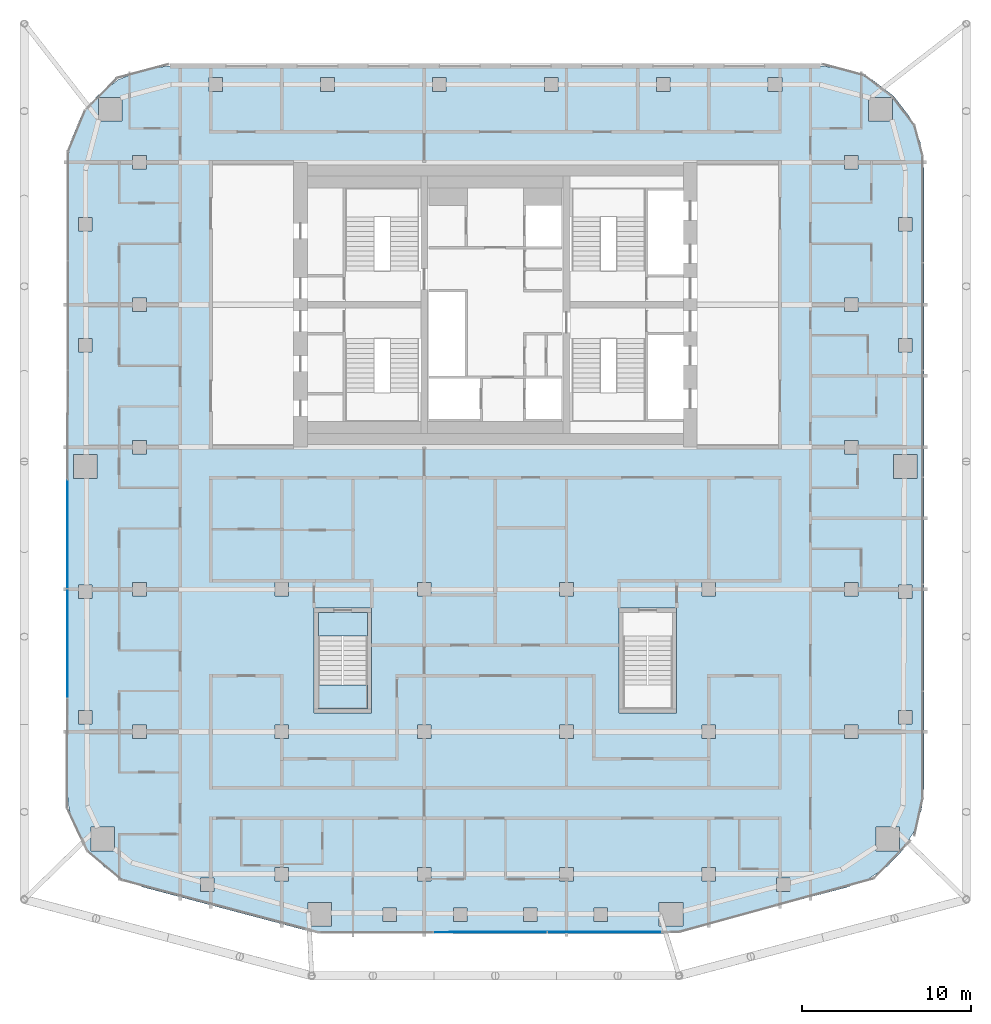
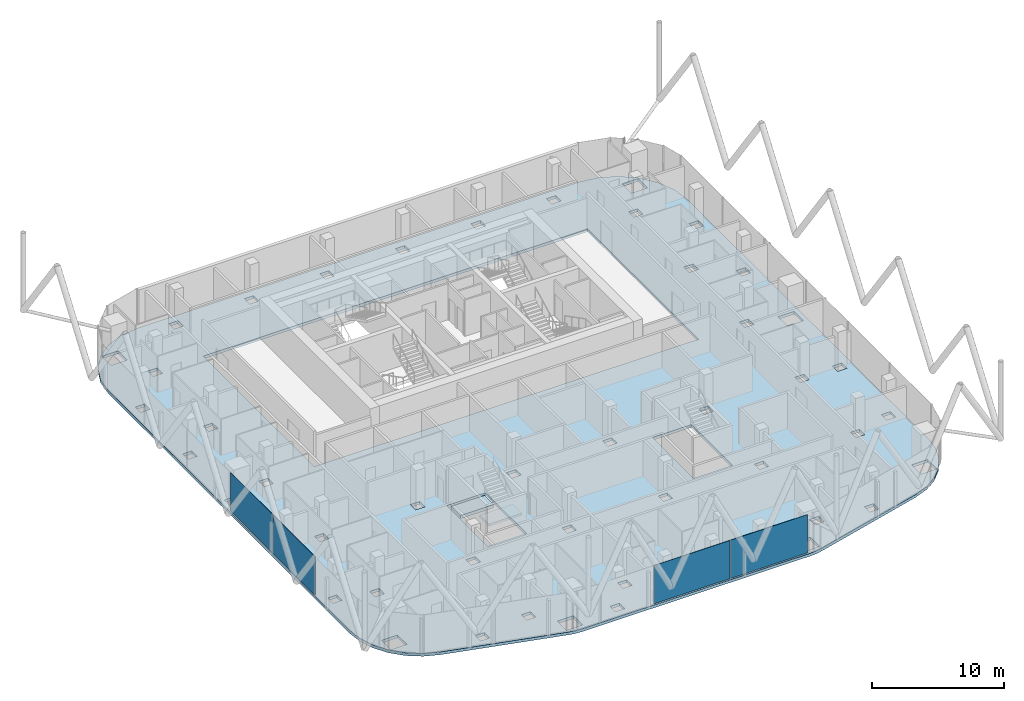
# One storey, part 15 of 28: 4 plates, 3 slabs, 3 elements without a shape of their own.
"""IFC4 building model written with IfcOpenShell, lengths in metres."""

from ifc_helpers import new_model, si_unit, direction, frame, origin, origin_2d, place, context, subcontext, project, spatial, polyline, rectangle, outline, extrude, material, layer, layer_set, type_object, element, aggregate, save


model = new_model("IFC4")

# Units and contexts
model_context = context("Model", 3, precision=1e-05, world=origin(), true_north=direction((0.0, 1.0)))
body_context = subcontext(model_context, "Body", "Model", "MODEL_VIEW")
ifc_project = project(units=[si_unit("LENGTHUNIT", "METRE"), si_unit("AREAUNIT", "SQUARE_METRE"), si_unit("VOLUMEUNIT", "CUBIC_METRE"), si_unit("PLANEANGLEUNIT", "RADIAN"), si_unit("MASSUNIT", "GRAM", prefix="KILO")], contexts=[model_context])

# Site, building, storey
site_placement = place(None, origin())
site = spatial("IfcSite", under=ifc_project, at=site_placement, CompositionType="ELEMENT")
building_placement = place(site_placement, origin())
building = spatial("IfcBuilding", under=site, at=building_placement, Name="Marenta Gate Hotel Tower", CompositionType="ELEMENT")
storey_placement = place(building_placement, frame((0.0, 0.0, 241.699951171875)))
storey = spatial("IfcBuildingStorey", under=building, at=storey_placement, Name="L57", CompositionType="ELEMENT", Elevation=241.699951171875)

# Slab
ifc_material_1 = material(Name="Concrete C35", Category="concrete")
ifc_layer_1 = layer(ifc_material_1, 0.260009765625)
ifc_layer_set_1 = layer_set([ifc_layer_1], Name="Concrete C35")
slab_type_1 = type_object("IfcSlabType", Name="Concrete floor slab 260", PredefinedType="FLOOR", material=ifc_layer_set_1)
slab_1_placement = place(storey_placement, frame((0.0, 0.0, -0.260009765625)))
element("IfcSlab", 1, at=slab_1_placement, inside=storey, type_object=slab_type_1, Name="L57-SL-1", PredefinedType="FLOOR", context=body_context, shape_type="SweptSolid", body=[
    extrude(outline(polyline([(-23.11376953125, -24.76416015625), (-24.035400390625, -23.803955078125), (-24.72705078125, -22.6669921875), (-25.155517578125, -21.4072265625), (-25.300048828125, -20.08984375), (-25.300048828125, 16.406494140625), (-25.093017578125, 17.97900390625), (-24.483642578125, 19.450439453125), (-23.513916015625, 20.7138671875), (-22.25048828125, 21.68359375), (-20.779052734375, 22.29296875), (-19.20654296875, 22.5), (19.20654296875, 22.5), (20.779052734375, 22.29296875), (22.25048828125, 21.68359375), (23.513916015625, 20.7138671875), (24.483642578125, 19.450439453125), (25.093017578125, 17.97900390625), (25.300048828125, 16.406494140625), (25.300048828125, -20.08984375), (25.155517578125, -21.4072265625), (24.72705078125, -22.6669921875), (24.035400390625, -23.803955078125), (23.11376953125, -24.76416015625), (22.005859375, -25.501220703125), (20.76953125, -25.978759765625), (11.026611328125, -28.563720703125), (10.508544921875, -28.665771484375), (9.981689453125, -28.699951171875), (-9.981689453125, -28.699951171875), (-10.508544921875, -28.665771484375), (-11.026611328125, -28.563720703125), (-20.76953125, -25.978759765625), (-22.005859375, -25.501220703125), (-23.11376953125, -24.76416015625)]), holes=[polyline([(-16.800048828125, 0.0), (16.800048828125, 0.0), (16.800048828125, 16.800048828125), (-16.800048828125, 16.800048828125), (-16.800048828125, 0.0)]), polyline([(-16.606689453125, -25.439208984375), (-17.40673828125, -25.439208984375), (-17.40673828125, -26.239013671875), (-16.606689453125, -26.239013671875), (-16.606689453125, -25.439208984375)]), polyline([(-12.199951171875, -25.60009765625), (-12.199951171875, -24.800048828125), (-13.0, -24.800048828125), (-13.0, -25.60009765625), (-12.199951171875, -25.60009765625)]), polyline([(-22.462890625, -23.8330078125), (-22.462890625, -22.43310546875), (-23.863037109375, -22.43310546875), (-23.863037109375, -23.8330078125), (-22.462890625, -23.8330078125)]), polyline([(-12.199951171875, -16.39990234375), (-13.0, -16.39990234375), (-13.0, -17.199951171875), (-12.199951171875, -17.199951171875), (-12.199951171875, -16.39990234375)]), polyline([(-20.60009765625, -17.199951171875), (-20.60009765625, -16.39990234375), (-21.39990234375, -16.39990234375), (-21.39990234375, -17.199951171875), (-20.60009765625, -17.199951171875)]), polyline([(-23.800048828125, -16.351806640625), (-23.800048828125, -15.552001953125), (-24.60009765625, -15.552001953125), (-24.60009765625, -16.351806640625), (-23.800048828125, -16.351806640625)]), polyline([(-23.800048828125, -8.15087890625), (-24.60009765625, -8.15087890625), (-24.60009765625, -8.950927734375), (-23.800048828125, -8.950927734375), (-23.800048828125, -8.15087890625)]), polyline([(-12.199951171875, -8.800048828125), (-12.199951171875, -8.0), (-13.0, -8.0), (-13.0, -8.800048828125), (-12.199951171875, -8.800048828125)]), polyline([(-20.60009765625, -8.800048828125), (-20.60009765625, -8.0), (-21.39990234375, -8.0), (-21.39990234375, -8.800048828125), (-20.60009765625, -8.800048828125)]), polyline([(-23.5, -0.449951171875), (-24.89990234375, -0.449951171875), (-24.89990234375, -1.85009765625), (-23.5, -1.85009765625), (-23.5, -0.449951171875)]), polyline([(-20.60009765625, -0.39990234375), (-20.60009765625, 0.39990234375), (-21.39990234375, 0.39990234375), (-21.39990234375, -0.39990234375), (-20.60009765625, -0.39990234375)]), polyline([(-23.800048828125, 5.603271484375), (-23.800048828125, 6.4033203125), (-24.60009765625, 6.4033203125), (-24.60009765625, 5.603271484375), (-23.800048828125, 5.603271484375)]), polyline([(-20.60009765625, 8.800048828125), (-21.39990234375, 8.800048828125), (-21.39990234375, 8.0), (-20.60009765625, 8.0), (-20.60009765625, 8.800048828125)]), polyline([(-23.800048828125, 12.75634765625), (-23.800048828125, 13.556396484375), (-24.60009765625, 13.556396484375), (-24.60009765625, 12.75634765625), (-23.800048828125, 12.75634765625)]), polyline([(-20.60009765625, 16.39990234375), (-20.60009765625, 17.199951171875), (-21.39990234375, 17.199951171875), (-21.39990234375, 16.39990234375), (-20.60009765625, 16.39990234375)]), polyline([(-22.035400390625, 20.635498046875), (-23.435546875, 20.635498046875), (-23.435546875, 19.235595703125), (-22.035400390625, 19.235595703125), (-22.035400390625, 20.635498046875)]), polyline([(-16.10693359375, 21.0), (-16.10693359375, 21.800048828125), (-16.906982421875, 21.800048828125), (-16.906982421875, 21.0), (-16.10693359375, 21.0)]), polyline([(-5.820068359375, -28.0), (-5.820068359375, -27.199951171875), (-6.6201171875, -27.199951171875), (-6.6201171875, -28.0), (-5.820068359375, -28.0)]), polyline([(6.6201171875, -27.199951171875), (5.820068359375, -27.199951171875), (5.820068359375, -28.0), (6.6201171875, -28.0), (6.6201171875, -27.199951171875)]), polyline([(2.473388671875, -28.0), (2.473388671875, -27.199951171875), (1.67333984375, -27.199951171875), (1.67333984375, -28.0), (2.473388671875, -28.0)]), polyline([(-1.67333984375, -28.0), (-1.67333984375, -27.199951171875), (-2.473388671875, -27.199951171875), (-2.473388671875, -28.0), (-1.67333984375, -28.0)]), polyline([(-9.666259765625, -28.27490234375), (-9.666259765625, -26.874755859375), (-11.06640625, -26.874755859375), (-11.06640625, -28.27490234375), (-9.666259765625, -28.27490234375)]), polyline([(11.06640625, -28.27490234375), (11.06640625, -26.874755859375), (9.666259765625, -26.874755859375), (9.666259765625, -28.27490234375), (11.06640625, -28.27490234375)]), polyline([(13.0, -25.60009765625), (13.0, -24.800048828125), (12.199951171875, -24.800048828125), (12.199951171875, -25.60009765625), (13.0, -25.60009765625)]), polyline([(4.60009765625, -25.60009765625), (4.60009765625, -24.800048828125), (3.800048828125, -24.800048828125), (3.800048828125, -25.60009765625), (4.60009765625, -25.60009765625)]), polyline([(-3.800048828125, -24.800048828125), (-4.60009765625, -24.800048828125), (-4.60009765625, -25.60009765625), (-3.800048828125, -25.60009765625), (-3.800048828125, -24.800048828125)]), polyline([(4.60009765625, -17.199951171875), (4.60009765625, -16.39990234375), (3.800048828125, -16.39990234375), (3.800048828125, -17.199951171875), (4.60009765625, -17.199951171875)]), polyline([(-3.800048828125, -17.199951171875), (-3.800048828125, -16.39990234375), (-4.60009765625, -16.39990234375), (-4.60009765625, -17.199951171875), (-3.800048828125, -17.199951171875)]), polyline([(4.60009765625, -8.0), (3.800048828125, -8.0), (3.800048828125, -8.800048828125), (4.60009765625, -8.800048828125), (4.60009765625, -8.0)]), polyline([(-3.800048828125, -8.800048828125), (-3.800048828125, -8.0), (-4.60009765625, -8.0), (-4.60009765625, -8.800048828125), (-3.800048828125, -8.800048828125)]), polyline([(-2.9013671875, 21.0), (-2.9013671875, 21.800048828125), (-3.701416015625, 21.800048828125), (-3.701416015625, 21.0), (-2.9013671875, 21.0)]), polyline([(3.701416015625, 21.800048828125), (2.9013671875, 21.800048828125), (2.9013671875, 21.0), (3.701416015625, 21.0), (3.701416015625, 21.800048828125)]), polyline([(10.30419921875, 21.0), (10.30419921875, 21.800048828125), (9.504150390625, 21.800048828125), (9.504150390625, 21.0), (10.30419921875, 21.0)]), polyline([(-9.504150390625, 21.0), (-9.504150390625, 21.800048828125), (-10.30419921875, 21.800048828125), (-10.30419921875, 21.0), (-9.504150390625, 21.0)]), polyline([(17.40673828125, -25.439208984375), (16.606689453125, -25.439208984375), (16.606689453125, -26.239013671875), (17.40673828125, -26.239013671875), (17.40673828125, -25.439208984375)]), polyline([(23.863037109375, -23.8330078125), (23.863037109375, -22.43310546875), (22.462890625, -22.43310546875), (22.462890625, -23.8330078125), (23.863037109375, -23.8330078125)]), polyline([(13.0, -17.199951171875), (13.0, -16.39990234375), (12.199951171875, -16.39990234375), (12.199951171875, -17.199951171875), (13.0, -17.199951171875)]), polyline([(21.39990234375, -16.39990234375), (20.60009765625, -16.39990234375), (20.60009765625, -17.199951171875), (21.39990234375, -17.199951171875), (21.39990234375, -16.39990234375)]), polyline([(24.60009765625, -16.351806640625), (24.60009765625, -15.552001953125), (23.800048828125, -15.552001953125), (23.800048828125, -16.351806640625), (24.60009765625, -16.351806640625)]), polyline([(24.60009765625, -8.950927734375), (24.60009765625, -8.15087890625), (23.800048828125, -8.15087890625), (23.800048828125, -8.950927734375), (24.60009765625, -8.950927734375)]), polyline([(13.0, -8.0), (12.199951171875, -8.0), (12.199951171875, -8.800048828125), (13.0, -8.800048828125), (13.0, -8.0)]), polyline([(21.39990234375, -8.800048828125), (21.39990234375, -8.0), (20.60009765625, -8.0), (20.60009765625, -8.800048828125), (21.39990234375, -8.800048828125)]), polyline([(24.89990234375, -1.85009765625), (24.89990234375, -0.449951171875), (23.5, -0.449951171875), (23.5, -1.85009765625), (24.89990234375, -1.85009765625)]), polyline([(21.39990234375, 0.39990234375), (20.60009765625, 0.39990234375), (20.60009765625, -0.39990234375), (21.39990234375, -0.39990234375), (21.39990234375, 0.39990234375)]), polyline([(24.60009765625, 5.603271484375), (24.60009765625, 6.4033203125), (23.800048828125, 6.4033203125), (23.800048828125, 5.603271484375), (24.60009765625, 5.603271484375)]), polyline([(21.39990234375, 8.0), (21.39990234375, 8.800048828125), (20.60009765625, 8.800048828125), (20.60009765625, 8.0), (21.39990234375, 8.0)]), polyline([(24.60009765625, 12.75634765625), (24.60009765625, 13.556396484375), (23.800048828125, 13.556396484375), (23.800048828125, 12.75634765625), (24.60009765625, 12.75634765625)]), polyline([(21.39990234375, 16.39990234375), (21.39990234375, 17.199951171875), (20.60009765625, 17.199951171875), (20.60009765625, 16.39990234375), (21.39990234375, 16.39990234375)]), polyline([(23.435546875, 19.235595703125), (23.435546875, 20.635498046875), (22.035400390625, 20.635498046875), (22.035400390625, 19.235595703125), (23.435546875, 19.235595703125)]), polyline([(16.906982421875, 21.0), (16.906982421875, 21.800048828125), (16.10693359375, 21.800048828125), (16.10693359375, 21.0), (16.906982421875, 21.0)]), polyline([(-7.300048828125, -15.699951171875), (-7.300048828125, -9.5), (-10.699951171875, -9.5), (-10.699951171875, -15.699951171875), (-7.300048828125, -15.699951171875)]), polyline([(10.699951171875, -15.699951171875), (10.699951171875, -9.5), (7.300048828125, -9.5), (7.300048828125, -15.699951171875), (10.699951171875, -15.699951171875)])]), origin(), (0.0, 0.0, 1.0), 0.260009765625),
])

# Curtain wall, plates
ifc_material_2 = material(Name="Tinted insulated glass in bronze anodised frame", Category="glass")
ifc_layer_2 = layer(ifc_material_2, 0.1201171875)
ifc_layer_set_2 = layer_set([ifc_layer_2], Name="Tinted insulated glass in bronze anodised frame")
curtain_wall_type = type_object("IfcCurtainWallType", Name="Tower unitised curtain wall CW1", PredefinedType="NOTDEFINED", material=ifc_layer_set_2)
curtain_wall_1_placement = place(storey_placement, origin())
curtain_wall_1 = element("IfcCurtainWall", 2, at=curtain_wall_1_placement, inside=storey, type_object=curtain_wall_type, Name="CW1 run G04", PredefinedType="NOTDEFINED")
ifc_material_3 = material(Name="Tinted insulated glass", Category="glass")
ifc_layer_3 = layer(ifc_material_3, 0.028076171875)
ifc_layer_set_3 = layer_set([ifc_layer_3], Name="Tinted insulated glass")
plate_type = type_object("IfcPlateType", Name="Glass panel CW1 28 mm tinted insulated unit", PredefinedType="CURTAIN_PANEL", material=ifc_layer_set_3)
plate_1_placement = place(storey_placement, frame((-25.247802734375, -5.143798828125, 0.06005859375), z_axis=(0.0, 0.0, 1.0), x_axis=(-0.001566045546, -0.99999877375, 0.0)))
plate_1 = element("IfcPlate", 3, at=plate_1_placement, type_object=plate_type, Name="CW1 panel 4.1", PredefinedType="CURTAIN_PANEL", context=body_context, shape_type="SweptSolid", body=[
    extrude(rectangle(XDim=6.39990234375, YDim=0.028076171875, at=origin_2d()), origin(), (0.0, 0.0, 1.0), 3.5400390625),
])
plate_2_placement = place(storey_placement, frame((-25.2578125, -11.603759765625, 0.06005859375), z_axis=(0.0, 0.0, 1.0), x_axis=(-0.001566045546, -0.99999877375, 0.0)))
plate_2 = element("IfcPlate", 4, at=plate_2_placement, type_object=plate_type, Name="CW1 panel 5.1", PredefinedType="CURTAIN_PANEL", context=body_context, shape_type="SweptSolid", body=[
    extrude(rectangle(XDim=6.39990234375, YDim=0.028076171875, at=origin_2d()), origin(), (0.0, 0.0, 1.0), 3.5400390625),
])
aggregate(curtain_wall_1, [plate_1, plate_2])

curtain_wall_2_placement = place(storey_placement, origin())
curtain_wall_2 = element("IfcCurtainWall", 5, at=curtain_wall_2_placement, inside=storey, type_object=curtain_wall_type, Name="CW1 run G12", PredefinedType="NOTDEFINED")
plate_3_placement = place(storey_placement, frame((-0.3056640625, -28.630859375, 0.06005859375), z_axis=(0.0, 0.0, 1.0), x_axis=(0.999998649471, 0.001643488917, 0.0)))
plate_3 = element("IfcPlate", 6, at=plate_3_placement, type_object=plate_type, Name="CW1 panel 2.1", PredefinedType="CURTAIN_PANEL", context=body_context, shape_type="SweptSolid", body=[
    extrude(rectangle(XDim=6.673583984375, YDim=0.028076171875, at=origin_2d()), origin(), (0.0, 0.0, 1.0), 3.5400390625),
])
plate_4_placement = place(storey_placement, frame((6.443115234375, -28.619873046875, 0.06005859375), z_axis=(0.0, 0.0, 1.0), x_axis=(0.999998649471, 0.001643488917, 0.0)))
plate_4 = element("IfcPlate", 7, at=plate_4_placement, type_object=plate_type, Name="CW1 panel 3.1", PredefinedType="CURTAIN_PANEL", context=body_context, shape_type="SweptSolid", body=[
    extrude(rectangle(XDim=6.70361328125, YDim=0.028076171875, at=origin_2d()), origin(), (0.0, 0.0, 1.0), 3.5400390625),
])
aggregate(curtain_wall_2, [plate_3, plate_4])

# Stair, slab
ifc_material_4 = material(Name="Concrete C40", Category="concrete")
stair_type = type_object("IfcStairType", Name="Remote exit stair 1400 wide", PredefinedType="HALF_TURN_STAIR", material=ifc_material_4)
stair_placement = place(storey_placement, origin())
stair = element("IfcStair", 8, at=stair_placement, inside=storey, type_object=stair_type, Name="Exit stair RS-Z3-1", PredefinedType="HALF_TURN_STAIR")
ifc_material_5 = material(Name="Concrete C40", Category="concrete")
ifc_layer_4 = layer(ifc_material_5, 0.199951171875)
ifc_layer_set_4 = layer_set([ifc_layer_4], Name="Concrete C40")
slab_type_2 = type_object("IfcSlabType", Name="Remote stair landing 200", PredefinedType="LANDING", material=ifc_layer_set_4)
slab_2_placement = place(storey_placement, frame((0.0, 0.0, 1.60009765625)))
slab_2 = element("IfcSlab", 9, at=slab_2_placement, type_object=slab_type_2, Name="RL-200 RS-Z3-1 landing 1", PredefinedType="LANDING", context=body_context, shape_type="SweptSolid", body=[
    extrude(outline(polyline([(-10.449951171875, -15.449951171875), (-7.550048828125, -15.449951171875), (-7.550048828125, -14.050048828125), (-10.449951171875, -14.050048828125), (-10.449951171875, -15.449951171875)])), origin(), (0.0, 0.0, 1.0), 0.199951171875),
])
aggregate(stair, [slab_2])

# Slab
ifc_material_6 = material(Name="Concrete C40", Category="concrete")
ifc_layer_5 = layer(ifc_material_6, 0.300048828125)
ifc_layer_set_5 = layer_set([ifc_layer_5], Name="Concrete C40")
slab_type_3 = type_object("IfcSlabType", Name="Stair floor landing slab 300", PredefinedType="FLOOR", material=ifc_layer_set_5)
slab_3_placement = place(storey_placement, frame((0.0, 0.0, -0.300048828125)))
element("IfcSlab", 10, at=slab_3_placement, inside=storey, type_object=slab_type_3, Name="L57-RS-Z3-1-CL", PredefinedType="FLOOR", context=body_context, shape_type="SweptSolid", body=[
    extrude(outline(polyline([(-7.550048828125, -11.14990234375), (-7.550048828125, -9.75), (-10.449951171875, -9.75), (-10.449951171875, -11.14990234375), (-7.550048828125, -11.14990234375)])), origin(), (0.0, 0.0, 1.0), 0.300048828125),
])

save(model, "model.ifc")
